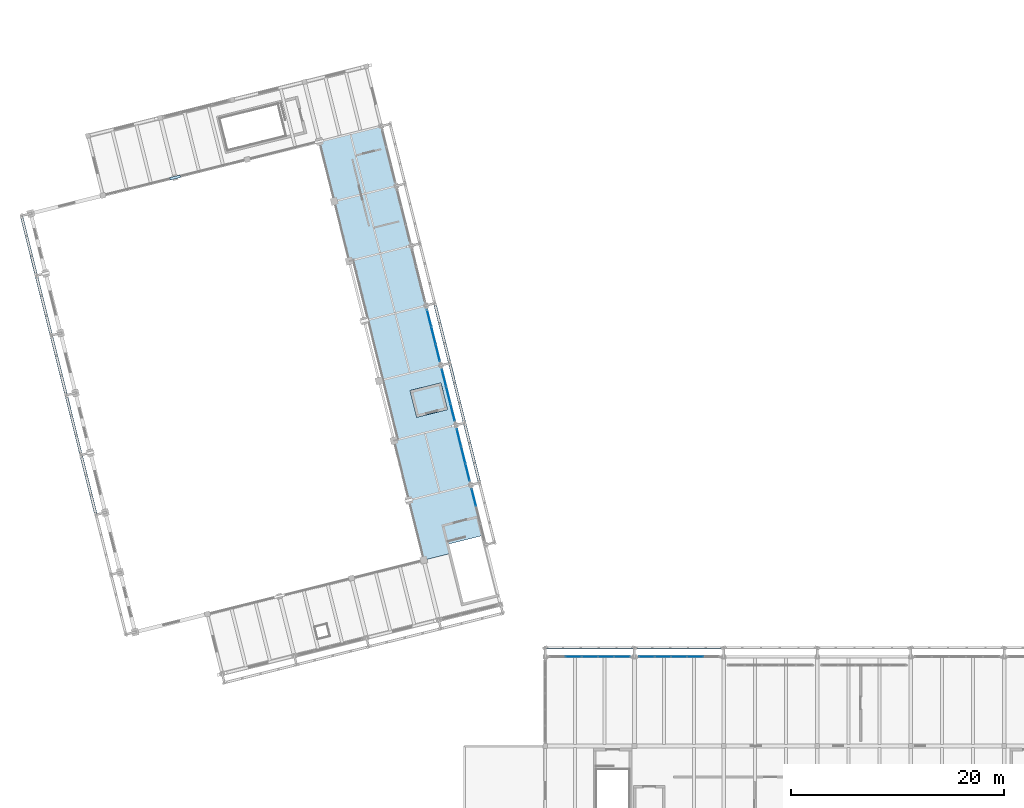
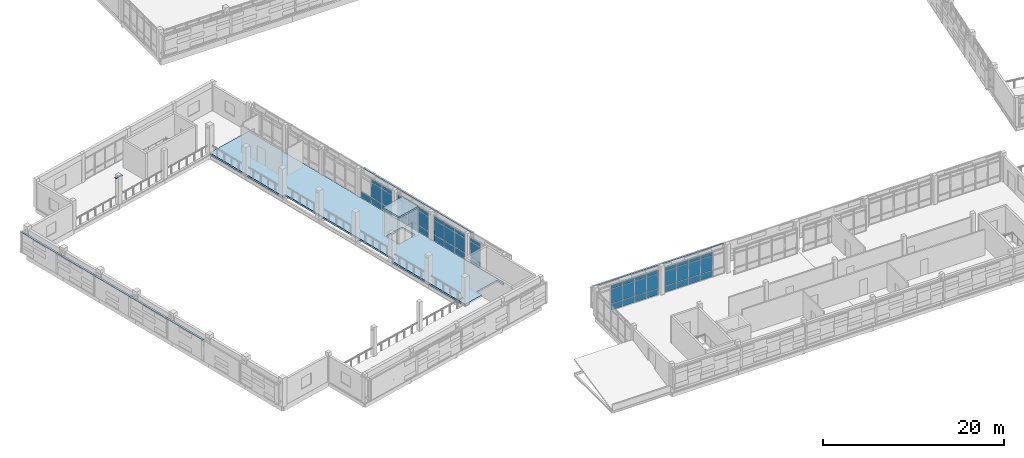
# One storey, part 83 of 117: 63 plates, 2 slabs, 6 elements without a shape of their own.
"""IFC4 building model written with IfcOpenShell, lengths in metres."""

from ifc_helpers import new_model, si_unit, direction, frame, origin, origin_2d, place, context, subcontext, project, spatial, polyline, rectangle, outline, extrude, material, layer, layer_set, type_object, element, aggregate, save


model = new_model("IFC4")

# Units and contexts
model_context = context("Model", 3, precision=1e-05, world=origin(), true_north=direction((0.0, 1.0)))
body_context = subcontext(model_context, "Body", "Model", "MODEL_VIEW")
ifc_project = project(units=[si_unit("LENGTHUNIT", "METRE"), si_unit("AREAUNIT", "SQUARE_METRE"), si_unit("VOLUMEUNIT", "CUBIC_METRE"), si_unit("PLANEANGLEUNIT", "RADIAN"), si_unit("MASSUNIT", "GRAM", prefix="KILO")], contexts=[model_context])

# Site, building, storey
site_placement = place(None, origin())
site = spatial("IfcSite", under=ifc_project, at=site_placement, CompositionType="ELEMENT")
building_placement = place(site_placement, origin())
building = spatial("IfcBuilding", under=site, at=building_placement, Name="Cinderway Yard Community Centre", CompositionType="ELEMENT")
storey_placement = place(building_placement, frame((0.0, 0.0, 9.0)))
storey = spatial("IfcBuildingStorey", under=building, at=storey_placement, Name="L02", CompositionType="ELEMENT", Elevation=9.0)

# Curtain wall, plates
ifc_material_1 = material(Name="Aluminium 6063-T6", Category="aluminium")
curtain_wall_type_1 = type_object("IfcCurtainWallType", Name="ENV-CW-TYPE-29", PredefinedType="USERDEFINED", material=ifc_material_1)
curtain_wall_1_placement = place(storey_placement, origin())
curtain_wall_1 = element("IfcCurtainWall", 1, at=curtain_wall_1_placement, inside=storey, type_object=curtain_wall_type_1, Name="Dining Courtyard Curtain Wall ENV-CW-L02-ST-0101", ObjectType="GLAZED CURTAIN WALL", PredefinedType="USERDEFINED")
ifc_material_2 = material(Name="Laminated Low-E Glass", Category="glass")
ifc_layer_1 = layer(ifc_material_2, 0.028076171875, Name="Laminated Low-E Glass")
ifc_layer_set_1 = layer_set([ifc_layer_1], Name="Laminated Low-E Glass")
plate_type_1 = type_object("IfcPlateType", Name="ENV-CW-PAN-IGU28", PredefinedType="CURTAIN_PANEL", material=ifc_layer_set_1)
plate_1_placement = place(storey_placement, frame((61.072021484375, 22.800048828125, 0.06005859375), z_axis=(0.0, 0.0, 1.0), x_axis=(1.0, 0.0, 0.0)))
plate_1 = element("IfcPlate", 2, at=plate_1_placement, type_object=plate_type_1, Name="CW-29 panel 2.1", PredefinedType="CURTAIN_PANEL", context=body_context, shape_type="SweptSolid", body=[
    extrude(rectangle(XDim=1.468017578125, YDim=0.028076171875, at=origin_2d()), origin(), (0.0, 0.0, 1.0), 0.81005859375),
])
plate_2_placement = place(storey_placement, frame((61.072021484375, 22.800048828125, 0.929931640625), z_axis=(0.0, 0.0, 1.0), x_axis=(1.0, 0.0, 0.0)))
plate_2 = element("IfcPlate", 3, at=plate_2_placement, type_object=plate_type_1, Name="CW-29 panel 2.2", PredefinedType="CURTAIN_PANEL", context=body_context, shape_type="SweptSolid", body=[
    extrude(rectangle(XDim=1.468017578125, YDim=0.028076171875, at=origin_2d()), origin(), (0.0, 0.0, 1.0), 1.93994140625),
])
plate_3_placement = place(storey_placement, frame((61.072021484375, 22.800048828125, 2.929931640625), z_axis=(0.0, 0.0, 1.0), x_axis=(1.0, 0.0, 0.0)))
plate_3 = element("IfcPlate", 4, at=plate_3_placement, type_object=plate_type_1, Name="CW-29 panel 2.3", PredefinedType="CURTAIN_PANEL", context=body_context, shape_type="SweptSolid", body=[
    extrude(rectangle(XDim=1.468017578125, YDim=0.028076171875, at=origin_2d()), origin(), (0.0, 0.0, 1.0), 0.4599609375),
])
plate_4_placement = place(storey_placement, frame((62.60009765625, 22.800048828125, 0.06005859375), z_axis=(0.0, 0.0, 1.0), x_axis=(1.0, 0.0, 0.0)))
plate_4 = element("IfcPlate", 5, at=plate_4_placement, type_object=plate_type_1, Name="CW-29 panel 3.1", PredefinedType="CURTAIN_PANEL", context=body_context, shape_type="SweptSolid", body=[
    extrude(rectangle(XDim=1.468017578125, YDim=0.028076171875, at=origin_2d()), origin(), (0.0, 0.0, 1.0), 0.81005859375),
])
plate_5_placement = place(storey_placement, frame((62.60009765625, 22.800048828125, 0.929931640625), z_axis=(0.0, 0.0, 1.0), x_axis=(1.0, 0.0, 0.0)))
plate_5 = element("IfcPlate", 6, at=plate_5_placement, type_object=plate_type_1, Name="CW-29 panel 3.2", PredefinedType="CURTAIN_PANEL", context=body_context, shape_type="SweptSolid", body=[
    extrude(rectangle(XDim=1.468017578125, YDim=0.028076171875, at=origin_2d()), origin(), (0.0, 0.0, 1.0), 1.93994140625),
])
plate_6_placement = place(storey_placement, frame((62.60009765625, 22.800048828125, 2.929931640625), z_axis=(0.0, 0.0, 1.0), x_axis=(1.0, 0.0, 0.0)))
plate_6 = element("IfcPlate", 7, at=plate_6_placement, type_object=plate_type_1, Name="CW-29 panel 3.3", PredefinedType="CURTAIN_PANEL", context=body_context, shape_type="SweptSolid", body=[
    extrude(rectangle(XDim=1.468017578125, YDim=0.028076171875, at=origin_2d()), origin(), (0.0, 0.0, 1.0), 0.4599609375),
])
plate_7_placement = place(storey_placement, frame((64.1279296875, 22.800048828125, 0.06005859375), z_axis=(0.0, 0.0, 1.0), x_axis=(1.0, 0.0, 0.0)))
plate_7 = element("IfcPlate", 8, at=plate_7_placement, type_object=plate_type_1, Name="CW-29 panel 4.1", PredefinedType="CURTAIN_PANEL", context=body_context, shape_type="SweptSolid", body=[
    extrude(rectangle(XDim=1.468017578125, YDim=0.028076171875, at=origin_2d()), origin(), (0.0, 0.0, 1.0), 0.81005859375),
])
plate_8_placement = place(storey_placement, frame((64.1279296875, 22.800048828125, 0.929931640625), z_axis=(0.0, 0.0, 1.0), x_axis=(1.0, 0.0, 0.0)))
plate_8 = element("IfcPlate", 9, at=plate_8_placement, type_object=plate_type_1, Name="CW-29 panel 4.2", PredefinedType="CURTAIN_PANEL", context=body_context, shape_type="SweptSolid", body=[
    extrude(rectangle(XDim=1.468017578125, YDim=0.028076171875, at=origin_2d()), origin(), (0.0, 0.0, 1.0), 1.93994140625),
])
plate_9_placement = place(storey_placement, frame((64.1279296875, 22.800048828125, 2.929931640625), z_axis=(0.0, 0.0, 1.0), x_axis=(1.0, 0.0, 0.0)))
plate_9 = element("IfcPlate", 10, at=plate_9_placement, type_object=plate_type_1, Name="CW-29 panel 4.3", PredefinedType="CURTAIN_PANEL", context=body_context, shape_type="SweptSolid", body=[
    extrude(rectangle(XDim=1.468017578125, YDim=0.028076171875, at=origin_2d()), origin(), (0.0, 0.0, 1.0), 0.4599609375),
])
plate_10_placement = place(storey_placement, frame((65.64111328125, 22.800048828125, 0.06005859375), z_axis=(0.0, 0.0, 1.0), x_axis=(1.0, 0.0, 0.0)))
plate_10 = element("IfcPlate", 11, at=plate_10_placement, type_object=plate_type_1, Name="CW-29 panel 5.1", PredefinedType="CURTAIN_PANEL", context=body_context, shape_type="SweptSolid", body=[
    extrude(rectangle(XDim=1.43798828125, YDim=0.028076171875, at=origin_2d()), origin(), (0.0, 0.0, 1.0), 0.81005859375),
])
plate_11_placement = place(storey_placement, frame((65.64111328125, 22.800048828125, 0.929931640625), z_axis=(0.0, 0.0, 1.0), x_axis=(1.0, 0.0, 0.0)))
plate_11 = element("IfcPlate", 12, at=plate_11_placement, type_object=plate_type_1, Name="CW-29 panel 5.2", PredefinedType="CURTAIN_PANEL", context=body_context, shape_type="SweptSolid", body=[
    extrude(rectangle(XDim=1.43798828125, YDim=0.028076171875, at=origin_2d()), origin(), (0.0, 0.0, 1.0), 1.93994140625),
])
plate_12_placement = place(storey_placement, frame((65.64111328125, 22.800048828125, 2.929931640625), z_axis=(0.0, 0.0, 1.0), x_axis=(1.0, 0.0, 0.0)))
plate_12 = element("IfcPlate", 13, at=plate_12_placement, type_object=plate_type_1, Name="CW-29 panel 5.3", PredefinedType="CURTAIN_PANEL", context=body_context, shape_type="SweptSolid", body=[
    extrude(rectangle(XDim=1.43798828125, YDim=0.028076171875, at=origin_2d()), origin(), (0.0, 0.0, 1.0), 0.4599609375),
])
aggregate(curtain_wall_1, [plate_1, plate_2, plate_3, plate_4, plate_5, plate_6, plate_7, plate_8, plate_9, plate_10, plate_11, plate_12])

curtain_wall_2_placement = place(storey_placement, origin())
curtain_wall_2 = element("IfcCurtainWall", 14, at=curtain_wall_2_placement, inside=storey, type_object=curtain_wall_type_1, Name="Dining Courtyard Curtain Wall ENV-CW-L02-ST-0102", ObjectType="GLAZED CURTAIN WALL", PredefinedType="USERDEFINED")
plate_13_placement = place(storey_placement, frame((67.958984375, 22.800048828125, 0.06005859375), z_axis=(0.0, 0.0, 1.0), x_axis=(1.0, 0.0, 0.0)))
plate_13 = element("IfcPlate", 15, at=plate_13_placement, type_object=plate_type_1, Name="CW-29 panel 1.1", PredefinedType="CURTAIN_PANEL", context=body_context, shape_type="SweptSolid", body=[
    extrude(rectangle(XDim=1.43798828125, YDim=0.028076171875, at=origin_2d()), origin(), (0.0, 0.0, 1.0), 0.81005859375),
])
plate_14_placement = place(storey_placement, frame((67.958984375, 22.800048828125, 0.929931640625), z_axis=(0.0, 0.0, 1.0), x_axis=(1.0, 0.0, 0.0)))
plate_14 = element("IfcPlate", 16, at=plate_14_placement, type_object=plate_type_1, Name="CW-29 panel 1.2", PredefinedType="CURTAIN_PANEL", context=body_context, shape_type="SweptSolid", body=[
    extrude(rectangle(XDim=1.43798828125, YDim=0.028076171875, at=origin_2d()), origin(), (0.0, 0.0, 1.0), 1.93994140625),
])
plate_15_placement = place(storey_placement, frame((67.958984375, 22.800048828125, 2.929931640625), z_axis=(0.0, 0.0, 1.0), x_axis=(1.0, 0.0, 0.0)))
plate_15 = element("IfcPlate", 17, at=plate_15_placement, type_object=plate_type_1, Name="CW-29 panel 1.3", PredefinedType="CURTAIN_PANEL", context=body_context, shape_type="SweptSolid", body=[
    extrude(rectangle(XDim=1.43798828125, YDim=0.028076171875, at=origin_2d()), origin(), (0.0, 0.0, 1.0), 0.4599609375),
])
plate_16_placement = place(storey_placement, frame((69.471923828125, 22.800048828125, 0.06005859375), z_axis=(0.0, 0.0, 1.0), x_axis=(1.0, 0.0, 0.0)))
plate_16 = element("IfcPlate", 18, at=plate_16_placement, type_object=plate_type_1, Name="CW-29 panel 2.1", PredefinedType="CURTAIN_PANEL", context=body_context, shape_type="SweptSolid", body=[
    extrude(rectangle(XDim=1.468017578125, YDim=0.028076171875, at=origin_2d()), origin(), (0.0, 0.0, 1.0), 0.81005859375),
])
plate_17_placement = place(storey_placement, frame((69.471923828125, 22.800048828125, 0.929931640625), z_axis=(0.0, 0.0, 1.0), x_axis=(1.0, 0.0, 0.0)))
plate_17 = element("IfcPlate", 19, at=plate_17_placement, type_object=plate_type_1, Name="CW-29 panel 2.2", PredefinedType="CURTAIN_PANEL", context=body_context, shape_type="SweptSolid", body=[
    extrude(rectangle(XDim=1.468017578125, YDim=0.028076171875, at=origin_2d()), origin(), (0.0, 0.0, 1.0), 1.93994140625),
])
plate_18_placement = place(storey_placement, frame((69.471923828125, 22.800048828125, 2.929931640625), z_axis=(0.0, 0.0, 1.0), x_axis=(1.0, 0.0, 0.0)))
plate_18 = element("IfcPlate", 20, at=plate_18_placement, type_object=plate_type_1, Name="CW-29 panel 2.3", PredefinedType="CURTAIN_PANEL", context=body_context, shape_type="SweptSolid", body=[
    extrude(rectangle(XDim=1.468017578125, YDim=0.028076171875, at=origin_2d()), origin(), (0.0, 0.0, 1.0), 0.4599609375),
])
plate_19_placement = place(storey_placement, frame((71.0, 22.800048828125, 0.06005859375), z_axis=(0.0, 0.0, 1.0), x_axis=(1.0, 0.0, 0.0)))
plate_19 = element("IfcPlate", 21, at=plate_19_placement, type_object=plate_type_1, Name="CW-29 panel 3.1", PredefinedType="CURTAIN_PANEL", context=body_context, shape_type="SweptSolid", body=[
    extrude(rectangle(XDim=1.468017578125, YDim=0.028076171875, at=origin_2d()), origin(), (0.0, 0.0, 1.0), 0.81005859375),
])
plate_20_placement = place(storey_placement, frame((71.0, 22.800048828125, 0.929931640625), z_axis=(0.0, 0.0, 1.0), x_axis=(1.0, 0.0, 0.0)))
plate_20 = element("IfcPlate", 22, at=plate_20_placement, type_object=plate_type_1, Name="CW-29 panel 3.2", PredefinedType="CURTAIN_PANEL", context=body_context, shape_type="SweptSolid", body=[
    extrude(rectangle(XDim=1.468017578125, YDim=0.028076171875, at=origin_2d()), origin(), (0.0, 0.0, 1.0), 1.93994140625),
])
plate_21_placement = place(storey_placement, frame((71.0, 22.800048828125, 2.929931640625), z_axis=(0.0, 0.0, 1.0), x_axis=(1.0, 0.0, 0.0)))
plate_21 = element("IfcPlate", 23, at=plate_21_placement, type_object=plate_type_1, Name="CW-29 panel 3.3", PredefinedType="CURTAIN_PANEL", context=body_context, shape_type="SweptSolid", body=[
    extrude(rectangle(XDim=1.468017578125, YDim=0.028076171875, at=origin_2d()), origin(), (0.0, 0.0, 1.0), 0.4599609375),
])
plate_22_placement = place(storey_placement, frame((72.528076171875, 22.800048828125, 0.06005859375), z_axis=(0.0, 0.0, 1.0), x_axis=(1.0, 0.0, 0.0)))
plate_22 = element("IfcPlate", 24, at=plate_22_placement, type_object=plate_type_1, Name="CW-29 panel 4.1", PredefinedType="CURTAIN_PANEL", context=body_context, shape_type="SweptSolid", body=[
    extrude(rectangle(XDim=1.468017578125, YDim=0.028076171875, at=origin_2d()), origin(), (0.0, 0.0, 1.0), 0.81005859375),
])
plate_23_placement = place(storey_placement, frame((72.528076171875, 22.800048828125, 0.929931640625), z_axis=(0.0, 0.0, 1.0), x_axis=(1.0, 0.0, 0.0)))
plate_23 = element("IfcPlate", 25, at=plate_23_placement, type_object=plate_type_1, Name="CW-29 panel 4.2", PredefinedType="CURTAIN_PANEL", context=body_context, shape_type="SweptSolid", body=[
    extrude(rectangle(XDim=1.468017578125, YDim=0.028076171875, at=origin_2d()), origin(), (0.0, 0.0, 1.0), 1.93994140625),
])
plate_24_placement = place(storey_placement, frame((72.528076171875, 22.800048828125, 2.929931640625), z_axis=(0.0, 0.0, 1.0), x_axis=(1.0, 0.0, 0.0)))
plate_24 = element("IfcPlate", 26, at=plate_24_placement, type_object=plate_type_1, Name="CW-29 panel 4.3", PredefinedType="CURTAIN_PANEL", context=body_context, shape_type="SweptSolid", body=[
    extrude(rectangle(XDim=1.468017578125, YDim=0.028076171875, at=origin_2d()), origin(), (0.0, 0.0, 1.0), 0.4599609375),
])
aggregate(curtain_wall_2, [plate_13, plate_14, plate_15, plate_16, plate_17, plate_18, plate_19, plate_20, plate_21, plate_22, plate_23, plate_24])

curtain_wall_type_2 = type_object("IfcCurtainWallType", Name="ENV-CW-TYPE-07", PredefinedType="USERDEFINED", material=ifc_material_1)
curtain_wall_3_placement = place(storey_placement, origin())
curtain_wall_3 = element("IfcCurtainWall", 27, at=curtain_wall_3_placement, inside=storey, type_object=curtain_wall_type_2, Name="Main Hall Courtyard Curtain Wall ENV-CW-L02-HS-0020", ObjectType="GLAZED CURTAIN WALL", PredefinedType="USERDEFINED")
ifc_layer_2 = layer(ifc_material_2, 0.031982421875, Name="Laminated Low-E Glass")
ifc_layer_set_2 = layer_set([ifc_layer_2], Name="Laminated Low-E Glass")
plate_type_2 = type_object("IfcPlateType", Name="ENV-CW-PAN-IGU32", PredefinedType="CURTAIN_PANEL", material=ifc_layer_set_2)
plate_25_placement = place(storey_placement, frame((51.69140625, 37.78466796875, 0.06005859375), z_axis=(0.0, 0.0, 1.0), x_axis=(-0.241887234827, 0.97030436752, 0.0)))
plate_25 = element("IfcPlate", 28, at=plate_25_placement, type_object=plate_type_2, Name="CW-07 panel 3.1", PredefinedType="CURTAIN_PANEL", context=body_context, shape_type="SweptSolid", body=[
    extrude(rectangle(XDim=1.603515625, YDim=0.028076171875, at=origin_2d()), origin(), (0.0, 0.0, 1.0), 0.81005859375),
])
plate_26_placement = place(storey_placement, frame((51.69140625, 37.78466796875, 0.929931640625), z_axis=(0.0, 0.0, 1.0), x_axis=(-0.241887234827, 0.97030436752, 0.0)))
plate_26 = element("IfcPlate", 29, at=plate_26_placement, type_object=plate_type_2, Name="CW-07 panel 3.2", PredefinedType="CURTAIN_PANEL", context=body_context, shape_type="SweptSolid", body=[
    extrude(rectangle(XDim=1.603515625, YDim=0.028076171875, at=origin_2d()), origin(), (0.0, 0.0, 1.0), 1.93994140625),
])
plate_27_placement = place(storey_placement, frame((51.69140625, 37.78466796875, 2.929931640625), z_axis=(0.0, 0.0, 1.0), x_axis=(-0.241887234827, 0.97030436752, 0.0)))
plate_27 = element("IfcPlate", 30, at=plate_27_placement, type_object=plate_type_2, Name="CW-07 panel 3.3", PredefinedType="CURTAIN_PANEL", context=body_context, shape_type="SweptSolid", body=[
    extrude(rectangle(XDim=1.603515625, YDim=0.028076171875, at=origin_2d()), origin(), (0.0, 0.0, 1.0), 0.4599609375),
])
aggregate(curtain_wall_3, [plate_25, plate_26, plate_27])

curtain_wall_4_placement = place(storey_placement, origin())
curtain_wall_4 = element("IfcCurtainWall", 31, at=curtain_wall_4_placement, inside=storey, type_object=curtain_wall_type_2, Name="Main Hall Courtyard Curtain Wall ENV-CW-L02-HS-0021", ObjectType="GLAZED CURTAIN WALL", PredefinedType="USERDEFINED")
plate_28_placement = place(storey_placement, frame((51.1005859375, 40.1552734375, 0.06005859375), z_axis=(0.0, 0.0, 1.0), x_axis=(-0.241887234827, 0.97030436752, 0.0)))
plate_28 = element("IfcPlate", 32, at=plate_28_placement, type_object=plate_type_2, Name="CW-07 panel 1.1", PredefinedType="CURTAIN_PANEL", context=body_context, shape_type="SweptSolid", body=[
    extrude(rectangle(XDim=1.603515625, YDim=0.028076171875, at=origin_2d()), origin(), (0.0, 0.0, 1.0), 0.81005859375),
])
plate_29_placement = place(storey_placement, frame((51.1005859375, 40.1552734375, 0.929931640625), z_axis=(0.0, 0.0, 1.0), x_axis=(-0.241887234827, 0.97030436752, 0.0)))
plate_29 = element("IfcPlate", 33, at=plate_29_placement, type_object=plate_type_2, Name="CW-07 panel 1.2", PredefinedType="CURTAIN_PANEL", context=body_context, shape_type="SweptSolid", body=[
    extrude(rectangle(XDim=1.603515625, YDim=0.028076171875, at=origin_2d()), origin(), (0.0, 0.0, 1.0), 1.93994140625),
])
plate_30_placement = place(storey_placement, frame((51.1005859375, 40.1552734375, 2.929931640625), z_axis=(0.0, 0.0, 1.0), x_axis=(-0.241887234827, 0.97030436752, 0.0)))
plate_30 = element("IfcPlate", 34, at=plate_30_placement, type_object=plate_type_2, Name="CW-07 panel 1.3", PredefinedType="CURTAIN_PANEL", context=body_context, shape_type="SweptSolid", body=[
    extrude(rectangle(XDim=1.603515625, YDim=0.028076171875, at=origin_2d()), origin(), (0.0, 0.0, 1.0), 0.4599609375),
])
plate_31_placement = place(storey_placement, frame((50.694580078125, 41.783935546875, 0.06005859375), z_axis=(0.0, 0.0, 1.0), x_axis=(-0.241887234827, 0.97030436752, 0.0)))
plate_31 = element("IfcPlate", 35, at=plate_31_placement, type_object=plate_type_2, Name="CW-07 panel 2.1", PredefinedType="CURTAIN_PANEL", context=body_context, shape_type="SweptSolid", body=[
    extrude(rectangle(XDim=1.633544921875, YDim=0.028076171875, at=origin_2d()), origin(), (0.0, 0.0, 1.0), 0.81005859375),
])
plate_32_placement = place(storey_placement, frame((50.694580078125, 41.783935546875, 0.929931640625), z_axis=(0.0, 0.0, 1.0), x_axis=(-0.241887234827, 0.97030436752, 0.0)))
plate_32 = element("IfcPlate", 36, at=plate_32_placement, type_object=plate_type_2, Name="CW-07 panel 2.2", PredefinedType="CURTAIN_PANEL", context=body_context, shape_type="SweptSolid", body=[
    extrude(rectangle(XDim=1.633544921875, YDim=0.028076171875, at=origin_2d()), origin(), (0.0, 0.0, 1.0), 1.93994140625),
])
plate_33_placement = place(storey_placement, frame((50.694580078125, 41.783935546875, 2.929931640625), z_axis=(0.0, 0.0, 1.0), x_axis=(-0.241887234827, 0.97030436752, 0.0)))
plate_33 = element("IfcPlate", 37, at=plate_33_placement, type_object=plate_type_2, Name="CW-07 panel 2.3", PredefinedType="CURTAIN_PANEL", context=body_context, shape_type="SweptSolid", body=[
    extrude(rectangle(XDim=1.633544921875, YDim=0.028076171875, at=origin_2d()), origin(), (0.0, 0.0, 1.0), 0.4599609375),
])
plate_34_placement = place(storey_placement, frame((50.28857421875, 43.412841796875, 0.06005859375), z_axis=(0.0, 0.0, 1.0), x_axis=(-0.241887234827, 0.97030436752, 0.0)))
plate_34 = element("IfcPlate", 38, at=plate_34_placement, type_object=plate_type_2, Name="CW-07 panel 3.1", PredefinedType="CURTAIN_PANEL", context=body_context, shape_type="SweptSolid", body=[
    extrude(rectangle(XDim=1.603515625, YDim=0.028076171875, at=origin_2d()), origin(), (0.0, 0.0, 1.0), 0.81005859375),
])
plate_35_placement = place(storey_placement, frame((50.28857421875, 43.412841796875, 0.929931640625), z_axis=(0.0, 0.0, 1.0), x_axis=(-0.241887234827, 0.97030436752, 0.0)))
plate_35 = element("IfcPlate", 39, at=plate_35_placement, type_object=plate_type_2, Name="CW-07 panel 3.2", PredefinedType="CURTAIN_PANEL", context=body_context, shape_type="SweptSolid", body=[
    extrude(rectangle(XDim=1.603515625, YDim=0.028076171875, at=origin_2d()), origin(), (0.0, 0.0, 1.0), 1.93994140625),
])
plate_36_placement = place(storey_placement, frame((50.28857421875, 43.412841796875, 2.929931640625), z_axis=(0.0, 0.0, 1.0), x_axis=(-0.241887234827, 0.97030436752, 0.0)))
plate_36 = element("IfcPlate", 40, at=plate_36_placement, type_object=plate_type_2, Name="CW-07 panel 3.3", PredefinedType="CURTAIN_PANEL", context=body_context, shape_type="SweptSolid", body=[
    extrude(rectangle(XDim=1.603515625, YDim=0.028076171875, at=origin_2d()), origin(), (0.0, 0.0, 1.0), 0.4599609375),
])
aggregate(curtain_wall_4, [plate_28, plate_29, plate_30, plate_31, plate_32, plate_33, plate_34, plate_35, plate_36])

curtain_wall_5_placement = place(storey_placement, origin())
curtain_wall_5 = element("IfcCurtainWall", 41, at=curtain_wall_5_placement, inside=storey, type_object=curtain_wall_type_2, Name="Main Hall Courtyard Curtain Wall ENV-CW-L02-HS-0022", ObjectType="GLAZED CURTAIN WALL", PredefinedType="USERDEFINED")
plate_37_placement = place(storey_placement, frame((49.697509765625, 45.782958984375, 0.06005859375), z_axis=(0.0, 0.0, 1.0), x_axis=(-0.241933436991, 0.970292848611, 0.0)))
plate_37 = element("IfcPlate", 42, at=plate_37_placement, type_object=plate_type_2, Name="CW-07 panel 1.1", PredefinedType="CURTAIN_PANEL", context=body_context, shape_type="SweptSolid", body=[
    extrude(rectangle(XDim=1.603271484375, YDim=0.028076171875, at=origin_2d()), origin(), (0.0, 0.0, 1.0), 0.81005859375),
])
plate_38_placement = place(storey_placement, frame((49.697509765625, 45.782958984375, 0.929931640625), z_axis=(0.0, 0.0, 1.0), x_axis=(-0.241933436991, 0.970292848611, 0.0)))
plate_38 = element("IfcPlate", 43, at=plate_38_placement, type_object=plate_type_2, Name="CW-07 panel 1.2", PredefinedType="CURTAIN_PANEL", context=body_context, shape_type="SweptSolid", body=[
    extrude(rectangle(XDim=1.603271484375, YDim=0.028076171875, at=origin_2d()), origin(), (0.0, 0.0, 1.0), 1.93994140625),
])
plate_39_placement = place(storey_placement, frame((49.697509765625, 45.782958984375, 2.929931640625), z_axis=(0.0, 0.0, 1.0), x_axis=(-0.241933436991, 0.970292848611, 0.0)))
plate_39 = element("IfcPlate", 44, at=plate_39_placement, type_object=plate_type_2, Name="CW-07 panel 1.3", PredefinedType="CURTAIN_PANEL", context=body_context, shape_type="SweptSolid", body=[
    extrude(rectangle(XDim=1.603271484375, YDim=0.028076171875, at=origin_2d()), origin(), (0.0, 0.0, 1.0), 0.4599609375),
])
plate_40_placement = place(storey_placement, frame((49.29150390625, 47.41162109375, 0.06005859375), z_axis=(0.0, 0.0, 1.0), x_axis=(-0.241933436991, 0.970292848611, 0.0)))
plate_40 = element("IfcPlate", 45, at=plate_40_placement, type_object=plate_type_2, Name="CW-07 panel 2.1", PredefinedType="CURTAIN_PANEL", context=body_context, shape_type="SweptSolid", body=[
    extrude(rectangle(XDim=1.63330078125, YDim=0.028076171875, at=origin_2d()), origin(), (0.0, 0.0, 1.0), 0.81005859375),
])
plate_41_placement = place(storey_placement, frame((49.29150390625, 47.41162109375, 0.929931640625), z_axis=(0.0, 0.0, 1.0), x_axis=(-0.241933436991, 0.970292848611, 0.0)))
plate_41 = element("IfcPlate", 46, at=plate_41_placement, type_object=plate_type_2, Name="CW-07 panel 2.2", PredefinedType="CURTAIN_PANEL", context=body_context, shape_type="SweptSolid", body=[
    extrude(rectangle(XDim=1.63330078125, YDim=0.028076171875, at=origin_2d()), origin(), (0.0, 0.0, 1.0), 1.93994140625),
])
plate_42_placement = place(storey_placement, frame((49.29150390625, 47.41162109375, 2.929931640625), z_axis=(0.0, 0.0, 1.0), x_axis=(-0.241933436991, 0.970292848611, 0.0)))
plate_42 = element("IfcPlate", 47, at=plate_42_placement, type_object=plate_type_2, Name="CW-07 panel 2.3", PredefinedType="CURTAIN_PANEL", context=body_context, shape_type="SweptSolid", body=[
    extrude(rectangle(XDim=1.63330078125, YDim=0.028076171875, at=origin_2d()), origin(), (0.0, 0.0, 1.0), 0.4599609375),
])
plate_43_placement = place(storey_placement, frame((48.885498046875, 49.0400390625, 0.06005859375), z_axis=(0.0, 0.0, 1.0), x_axis=(-0.241933436991, 0.970292848611, 0.0)))
plate_43 = element("IfcPlate", 48, at=plate_43_placement, type_object=plate_type_2, Name="CW-07 panel 3.1", PredefinedType="CURTAIN_PANEL", context=body_context, shape_type="SweptSolid", body=[
    extrude(rectangle(XDim=1.603271484375, YDim=0.028076171875, at=origin_2d()), origin(), (0.0, 0.0, 1.0), 0.81005859375),
])
plate_44_placement = place(storey_placement, frame((48.885498046875, 49.0400390625, 0.929931640625), z_axis=(0.0, 0.0, 1.0), x_axis=(-0.241933436991, 0.970292848611, 0.0)))
plate_44 = element("IfcPlate", 49, at=plate_44_placement, type_object=plate_type_2, Name="CW-07 panel 3.2", PredefinedType="CURTAIN_PANEL", context=body_context, shape_type="SweptSolid", body=[
    extrude(rectangle(XDim=1.603271484375, YDim=0.028076171875, at=origin_2d()), origin(), (0.0, 0.0, 1.0), 1.93994140625),
])
plate_45_placement = place(storey_placement, frame((48.885498046875, 49.0400390625, 2.929931640625), z_axis=(0.0, 0.0, 1.0), x_axis=(-0.241933436991, 0.970292848611, 0.0)))
plate_45 = element("IfcPlate", 50, at=plate_45_placement, type_object=plate_type_2, Name="CW-07 panel 3.3", PredefinedType="CURTAIN_PANEL", context=body_context, shape_type="SweptSolid", body=[
    extrude(rectangle(XDim=1.603271484375, YDim=0.028076171875, at=origin_2d()), origin(), (0.0, 0.0, 1.0), 0.4599609375),
])
aggregate(curtain_wall_5, [plate_37, plate_38, plate_39, plate_40, plate_41, plate_42, plate_43, plate_44, plate_45])

curtain_wall_6_placement = place(storey_placement, origin())
curtain_wall_6 = element("IfcCurtainWall", 51, at=curtain_wall_6_placement, inside=storey, type_object=curtain_wall_type_2, Name="Main Hall Courtyard Curtain Wall ENV-CW-L02-HS-0023", ObjectType="GLAZED CURTAIN WALL", PredefinedType="USERDEFINED")
plate_46_placement = place(storey_placement, frame((48.29443359375, 51.41015625, 0.06005859375), z_axis=(0.0, 0.0, 1.0), x_axis=(-0.241887234827, 0.97030436752, 0.0)))
plate_46 = element("IfcPlate", 52, at=plate_46_placement, type_object=plate_type_2, Name="CW-07 panel 1.1", PredefinedType="CURTAIN_PANEL", context=body_context, shape_type="SweptSolid", body=[
    extrude(rectangle(XDim=1.603515625, YDim=0.028076171875, at=origin_2d()), origin(), (0.0, 0.0, 1.0), 0.81005859375),
])
plate_47_placement = place(storey_placement, frame((48.29443359375, 51.41015625, 0.929931640625), z_axis=(0.0, 0.0, 1.0), x_axis=(-0.241887234827, 0.97030436752, 0.0)))
plate_47 = element("IfcPlate", 53, at=plate_47_placement, type_object=plate_type_2, Name="CW-07 panel 1.2", PredefinedType="CURTAIN_PANEL", context=body_context, shape_type="SweptSolid", body=[
    extrude(rectangle(XDim=1.603515625, YDim=0.028076171875, at=origin_2d()), origin(), (0.0, 0.0, 1.0), 1.93994140625),
])
plate_48_placement = place(storey_placement, frame((48.29443359375, 51.41015625, 2.929931640625), z_axis=(0.0, 0.0, 1.0), x_axis=(-0.241887234827, 0.97030436752, 0.0)))
plate_48 = element("IfcPlate", 54, at=plate_48_placement, type_object=plate_type_2, Name="CW-07 panel 1.3", PredefinedType="CURTAIN_PANEL", context=body_context, shape_type="SweptSolid", body=[
    extrude(rectangle(XDim=1.603515625, YDim=0.028076171875, at=origin_2d()), origin(), (0.0, 0.0, 1.0), 0.4599609375),
])
plate_49_placement = place(storey_placement, frame((47.888427734375, 53.0390625, 0.06005859375), z_axis=(0.0, 0.0, 1.0), x_axis=(-0.241887234827, 0.97030436752, 0.0)))
plate_49 = element("IfcPlate", 55, at=plate_49_placement, type_object=plate_type_2, Name="CW-07 panel 2.1", PredefinedType="CURTAIN_PANEL", context=body_context, shape_type="SweptSolid", body=[
    extrude(rectangle(XDim=1.633544921875, YDim=0.028076171875, at=origin_2d()), origin(), (0.0, 0.0, 1.0), 0.81005859375),
])
plate_50_placement = place(storey_placement, frame((47.888427734375, 53.0390625, 0.929931640625), z_axis=(0.0, 0.0, 1.0), x_axis=(-0.241887234827, 0.97030436752, 0.0)))
plate_50 = element("IfcPlate", 56, at=plate_50_placement, type_object=plate_type_2, Name="CW-07 panel 2.2", PredefinedType="CURTAIN_PANEL", context=body_context, shape_type="SweptSolid", body=[
    extrude(rectangle(XDim=1.633544921875, YDim=0.028076171875, at=origin_2d()), origin(), (0.0, 0.0, 1.0), 1.93994140625),
])
plate_51_placement = place(storey_placement, frame((47.888427734375, 53.0390625, 2.929931640625), z_axis=(0.0, 0.0, 1.0), x_axis=(-0.241887234827, 0.97030436752, 0.0)))
plate_51 = element("IfcPlate", 57, at=plate_51_placement, type_object=plate_type_2, Name="CW-07 panel 2.3", PredefinedType="CURTAIN_PANEL", context=body_context, shape_type="SweptSolid", body=[
    extrude(rectangle(XDim=1.633544921875, YDim=0.028076171875, at=origin_2d()), origin(), (0.0, 0.0, 1.0), 0.4599609375),
])
plate_52_placement = place(storey_placement, frame((47.482421875, 54.667724609375, 0.06005859375), z_axis=(0.0, 0.0, 1.0), x_axis=(-0.241887234827, 0.97030436752, 0.0)))
plate_52 = element("IfcPlate", 58, at=plate_52_placement, type_object=plate_type_2, Name="CW-07 panel 3.1", PredefinedType="CURTAIN_PANEL", context=body_context, shape_type="SweptSolid", body=[
    extrude(rectangle(XDim=1.603515625, YDim=0.028076171875, at=origin_2d()), origin(), (0.0, 0.0, 1.0), 0.81005859375),
])
aggregate(curtain_wall_6, [plate_46, plate_47, plate_48, plate_49, plate_50, plate_51, plate_52])

# Plates
ifc_layer_3 = layer(ifc_material_1, 0.01611328125, Name="Aluminium 6063-T6")
ifc_layer_set_3 = layer_set([ifc_layer_3], Name="Aluminium 6063-T6")
plate_type_3 = type_object("IfcPlateType", Name="ENV-PLT-FASCIA16", PredefinedType="USERDEFINED", material=ifc_layer_set_3)
for number, where, z_axis, x_axis, name in (
    (59, (62.60009765625, 23.64990234375, 3.411865234375), (0.0, 0.0, 1.0), (1.0, 0.0, 0.0), "Screen coping fascia 0086"),
    (60, (71.0, 23.64990234375, 3.411865234375), (0.0, 0.0, 1.0), (1.0, 0.0, 0.0), "Screen coping fascia 0087"),
):
    element("IfcPlate", number, at=place(storey_placement, frame(where, z_axis=z_axis, x_axis=x_axis)), inside=storey, type_object=plate_type_3, Name=name, ObjectType="FASCIA PLATE", PredefinedType="USERDEFINED", context=body_context, shape_type="SweptSolid", body=[
        extrude(rectangle(XDim=8.300048828125, YDim=0.260009765625, at=origin_2d()), origin(), (0.0, 0.0, 1.0), 0.01611328125),
    ])
for number, where, z_axis, x_axis, name in (
    (61, (15.427978515625, 38.968017578125, 3.411865234375), (0.0, 0.0, 1.0), (-0.2419218956, 0.970295726276, 0.0), "Screen coping fascia 0112"),
    (62, (14.02587890625, 44.595947265625, 3.411865234375), (0.0, 0.0, 1.0), (-0.2419218956, 0.970295726276, 0.0), "Screen coping fascia 0113"),
):
    element("IfcPlate", number, at=place(storey_placement, frame(where, z_axis=z_axis, x_axis=x_axis)), inside=storey, type_object=plate_type_3, Name=name, ObjectType="FASCIA PLATE", PredefinedType="USERDEFINED", context=body_context, shape_type="SweptSolid", body=[
        extrude(rectangle(XDim=5.699951171875, YDim=0.260009765625, at=origin_2d()), origin(), (0.0, 0.0, 1.0), 0.01611328125),
    ])
plate_53_placement = place(storey_placement, frame((12.6220703125, 50.22412109375, 3.411865234375), z_axis=(0.0, 0.0, 1.0), x_axis=(-0.2419218956, 0.970295726276, 0.0)))
element("IfcPlate", 63, at=plate_53_placement, inside=storey, type_object=plate_type_3, Name="Screen coping fascia 0114", ObjectType="FASCIA PLATE", PredefinedType="USERDEFINED", context=body_context, shape_type="SweptSolid", body=[
    extrude(rectangle(XDim=5.698974609375, YDim=0.260009765625, at=origin_2d()), origin(), (0.0, 0.0, 1.0), 0.01611328125),
])
for number, where, z_axis, x_axis, name in (
    (64, (11.219970703125, 55.85107421875, 3.411865234375), (0.0, 0.0, 1.0), (-0.2419218956, 0.970295726276, 0.0), "Screen coping fascia 0115"),
    (65, (9.81591796875, 61.47900390625, 3.411865234375), (0.0, 0.0, 1.0), (-0.2419218956, 0.970295726276, 0.0), "Screen coping fascia 0116"),
    (66, (51.51904296875, 41.989990234375, 3.411865234375), (0.0, 0.0, 1.0), (0.2419218956, -0.970295726276, 0.0), "Screen coping fascia 0118"),
):
    element("IfcPlate", number, at=place(storey_placement, frame(where, z_axis=z_axis, x_axis=x_axis)), inside=storey, type_object=plate_type_3, Name=name, ObjectType="FASCIA PLATE", PredefinedType="USERDEFINED", context=body_context, shape_type="SweptSolid", body=[
        extrude(rectangle(XDim=5.699951171875, YDim=0.260009765625, at=origin_2d()), origin(), (0.0, 0.0, 1.0), 0.01611328125),
    ])
plate_54_placement = place(storey_placement, frame((50.116943359375, 47.616943359375, 3.411865234375), z_axis=(0.0, 0.0, 1.0), x_axis=(0.2419218956, -0.970295726276, 0.0)))
element("IfcPlate", 67, at=plate_54_placement, inside=storey, type_object=plate_type_3, Name="Screen coping fascia 0119", ObjectType="FASCIA PLATE", PredefinedType="USERDEFINED", context=body_context, shape_type="SweptSolid", body=[
    extrude(rectangle(XDim=5.698974609375, YDim=0.260009765625, at=origin_2d()), origin(), (0.0, 0.0, 1.0), 0.01611328125),
])
plate_55_placement = place(storey_placement, frame((48.712890625, 53.2451171875, 3.411865234375), z_axis=(0.0, 0.0, 1.0), x_axis=(0.2419218956, -0.970295726276, 0.0)))
element("IfcPlate", 68, at=plate_55_placement, inside=storey, type_object=plate_type_3, Name="Screen coping fascia 0120", ObjectType="FASCIA PLATE", PredefinedType="USERDEFINED", context=body_context, shape_type="SweptSolid", body=[
    extrude(rectangle(XDim=5.699951171875, YDim=0.260009765625, at=origin_2d()), origin(), (0.0, 0.0, 1.0), 0.01611328125),
])
ifc_material_3 = material(Name="Steel S355", Category="steel")
ifc_layer_4 = layer(ifc_material_3, 0.02001953125, Name="Steel S355")
ifc_layer_set_4 = layer_set([ifc_layer_4], Name="Steel S355")
plate_type_4 = type_object("IfcPlateType", Name="STR-PLT-STIFF-11", PredefinedType="SHEET", material=ifc_layer_set_4)
plate_56_placement = place(storey_placement, frame((23.572021484375, 67.89794921875, 3.590087890625), z_axis=(0.0, 0.0, 1.0), x_axis=(0.970295726276, 0.2419218956, 0.0)))
element("IfcPlate", 69, at=plate_56_placement, inside=storey, type_object=plate_type_4, Name="Column head stiffener plate 11", PredefinedType="SHEET", context=body_context, shape_type="SweptSolid", body=[
    extrude(rectangle(XDim=1.010009765625, YDim=0.235107421875, at=origin_2d()), origin(), (0.0, 0.0, 1.0), 0.02001953125),
])

# Slabs
ifc_material_4 = material(Name="Concrete C35/45", Category="concrete")
ifc_layer_5 = layer(ifc_material_4, 0.219970703125, Name="Concrete C35/45")
ifc_layer_set_5 = layer_set([ifc_layer_5], Name="Concrete C35/45")
slab_type_1 = type_object("IfcSlabType", Name="STR-SLAB-FLR-220", PredefinedType="FLOOR", material=ifc_layer_set_5)
slab_1_placement = place(storey_placement, frame((0.0, 0.0, 3.659912109375)))
element("IfcSlab", 70, at=slab_1_placement, inside=storey, type_object=slab_type_1, Name="Lift LF-03 Shaft Overrun Cap", PredefinedType="FLOOR", context=body_context, shape_type="SweptSolid", body=[
    extrude(outline(polyline([(46.306884765625, 45.327880859375), (49.218017578125, 46.052978515625), (48.589111328125, 48.575927734375), (45.677978515625, 47.85107421875), (46.306884765625, 45.327880859375)])), origin(), (0.0, 0.0, 1.0), 0.219970703125),
])
ifc_layer_6 = layer(ifc_material_4, 0.239990234375, Name="Concrete C35/45")
ifc_layer_set_6 = layer_set([ifc_layer_6], Name="Concrete C35/45")
slab_type_2 = type_object("IfcSlabType", Name="STR-SLAB-FLR-240", PredefinedType="FLOOR", material=ifc_layer_set_6)
slab_2_placement = place(storey_placement, frame((0.0, 0.0, -0.239990234375)))
element("IfcSlab", 71, at=slab_2_placement, inside=storey, type_object=slab_type_2, Name="V1 Courtyard Balcony Gallery Slab L02 STR-SLAB-L02-022", PredefinedType="FLOOR", context=body_context, shape_type="SweptSolid", body=[
    extrude(outline(polyline([(46.97802734375, 31.89111328125), (44.1708984375, 43.14599609375), (44.56005859375, 43.242919921875), (40.35009765625, 60.1259765625), (39.9619140625, 60.029052734375), (37.156005859375, 71.284912109375), (42.97705078125, 72.736083984375), (52.799072265625, 33.342041015625), (52.595947265625, 33.291015625), (52.3779296875, 34.1650390625), (49.31201171875, 33.40087890625), (49.530029296875, 32.527099609375), (46.97802734375, 31.89111328125)]), holes=[polyline([(46.489013671875, 45.631103515625), (48.9150390625, 46.236083984375), (48.406982421875, 48.27294921875), (45.98095703125, 47.66796875), (46.489013671875, 45.631103515625)])]), origin(), (0.0, 0.0, 1.0), 0.239990234375),
])

save(model, "model.ifc")
